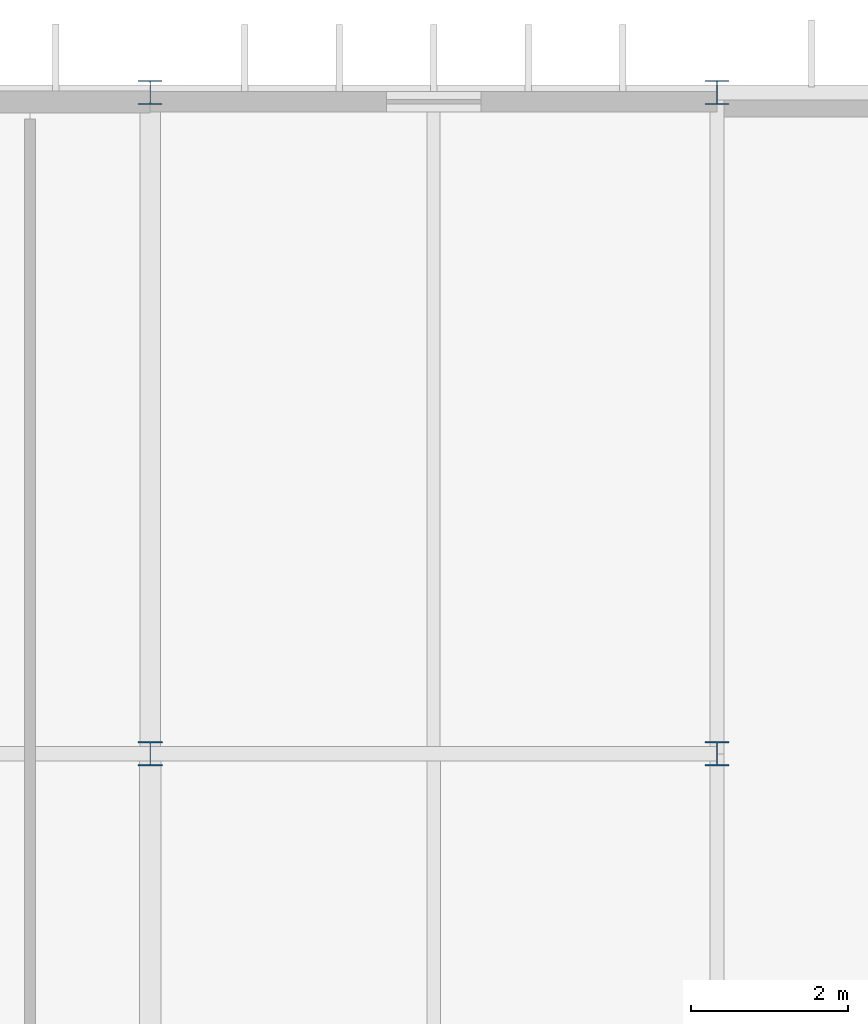
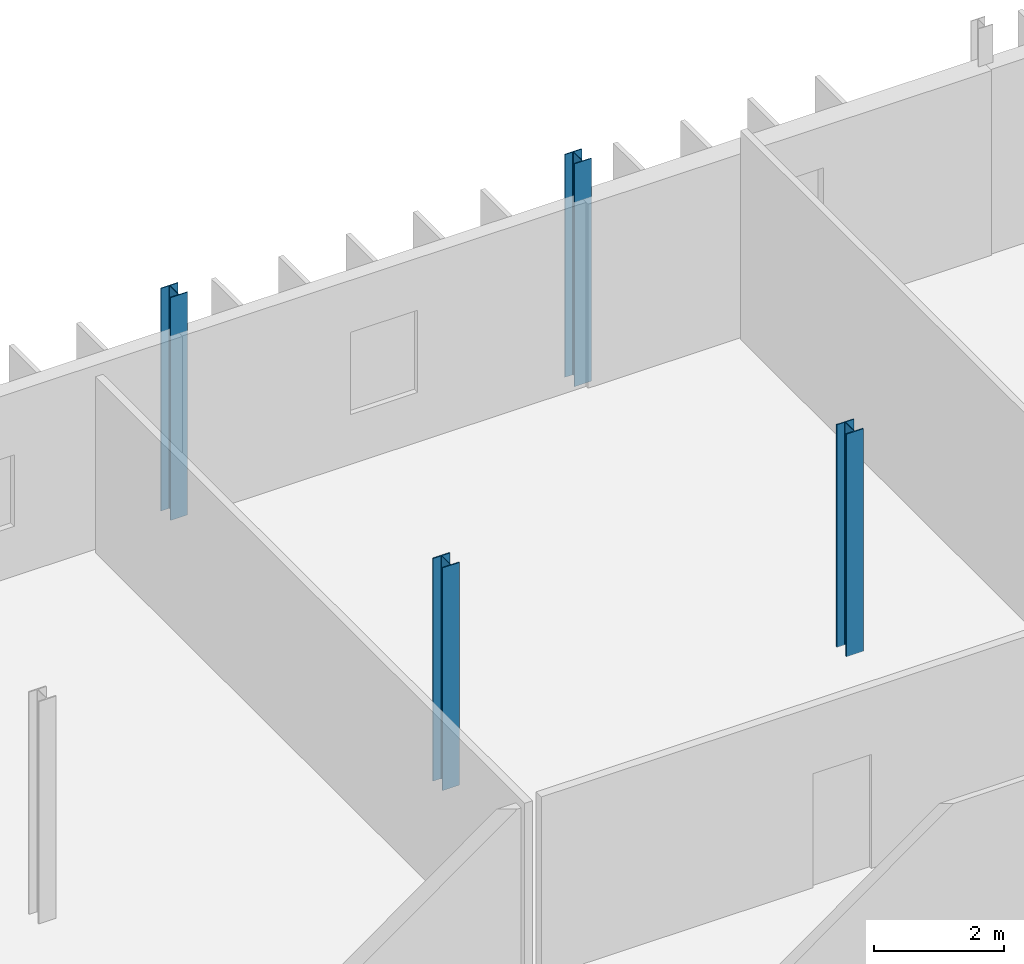
# One storey, part 20 of 119: 4 columns.
"""IFC4 building model written with IfcOpenShell, lengths in metres."""

from ifc_helpers import new_model, si_unit, direction, frame, origin, origin_2d, place, context, subcontext, project, spatial, i_section, extrude, material, material_profile, profile_set, type_object, element, save


model = new_model("IFC4")

# Units and contexts
model_context = context("Model", 3, precision=1e-05, world=origin(), true_north=direction((0.0, 1.0)))
body_context = subcontext(model_context, "Body", "Model", "MODEL_VIEW")
ifc_project = project(units=[si_unit("LENGTHUNIT", "METRE"), si_unit("AREAUNIT", "SQUARE_METRE"), si_unit("VOLUMEUNIT", "CUBIC_METRE"), si_unit("PLANEANGLEUNIT", "RADIAN"), si_unit("MASSUNIT", "GRAM", prefix="KILO")], contexts=[model_context])

# Site, building, storey
site_placement = place(None, origin())
site = spatial("IfcSite", under=ifc_project, at=site_placement, CompositionType="ELEMENT")
building_placement = place(site_placement, origin())
building = spatial("IfcBuilding", under=site, at=building_placement, Name="Qelthora Terrace Specialist Clinic", CompositionType="ELEMENT")
storey_placement = place(building_placement, frame((0.0, 0.0, 4.800048828125)))
storey = spatial("IfcBuildingStorey", under=building, at=storey_placement, Name="L01", CompositionType="ELEMENT", Elevation=4.800048828125)

# Columns
ifc_material = material(Name="Steel S355", Category="steel")
ifc_material_profile_1 = material_profile(ifc_material, i_section(OverallWidth=0.305908203125, OverallDepth=0.31103515625, WebThickness=0.010986328125, FlangeThickness=0.01708984375, FilletRadius=0.014892578125, at=origin_2d()), Name="W310X107")
ifc_profile_set_1 = profile_set([ifc_material_profile_1], Name="Steel S355")
column_type_1 = type_object("IfcColumnType", Name="COL-W310X107", PredefinedType="COLUMN", material=ifc_profile_set_1)
for number, where, z_axis, x_axis, name in (
    (1, (115.199951171875, 100.800048828125, 0.0), (0.0, 0.0, 1.0), (1.0, 0.0, 0.0), "Column L01-196"),
    (2, (122.39990234375, 100.800048828125, 0.0), (0.0, 0.0, 1.0), (1.0, 0.0, 0.0), "Column L01-205"),
):
    element("IfcColumn", number, at=place(storey_placement, frame(where, z_axis=z_axis, x_axis=x_axis)), inside=storey, type_object=column_type_1, Name=name, PredefinedType="COLUMN", context=body_context, shape_type="SweptSolid", body=[
        extrude(i_section(OverallWidth=0.305908203125, OverallDepth=0.31103515625, WebThickness=0.010986328125, FlangeThickness=0.01708984375, FilletRadius=0.014892578125, at=origin_2d()), origin(), (0.0, 0.0, 1.0), 4.199951171875),
    ])
ifc_material_profile_2 = material_profile(ifc_material, i_section(OverallWidth=0.304931640625, OverallDepth=0.30810546875, WebThickness=0.010009765625, FlangeThickness=0.015380859375, FilletRadius=0.014892578125, at=origin_2d()), Name="W310X97")
ifc_profile_set_2 = profile_set([ifc_material_profile_2], Name="Steel S355")
column_type_2 = type_object("IfcColumnType", Name="COL-W310X97", PredefinedType="COLUMN", material=ifc_profile_set_2)
for number, where, z_axis, x_axis, name in (
    (3, (115.199951171875, 109.199951171875, 0.0), (0.0, 0.0, 1.0), (1.0, 0.0, 0.0), "Column L01-197"),
    (4, (122.39990234375, 109.199951171875, 0.0), (0.0, 0.0, 1.0), (1.0, 0.0, 0.0), "Column L01-206"),
):
    element("IfcColumn", number, at=place(storey_placement, frame(where, z_axis=z_axis, x_axis=x_axis)), inside=storey, type_object=column_type_2, Name=name, PredefinedType="COLUMN", context=body_context, shape_type="SweptSolid", body=[
        extrude(i_section(OverallWidth=0.304931640625, OverallDepth=0.30810546875, WebThickness=0.010009765625, FlangeThickness=0.015380859375, FilletRadius=0.014892578125, at=origin_2d()), origin(), (0.0, 0.0, 1.0), 4.199951171875),
    ])

save(model, "model.ifc")
